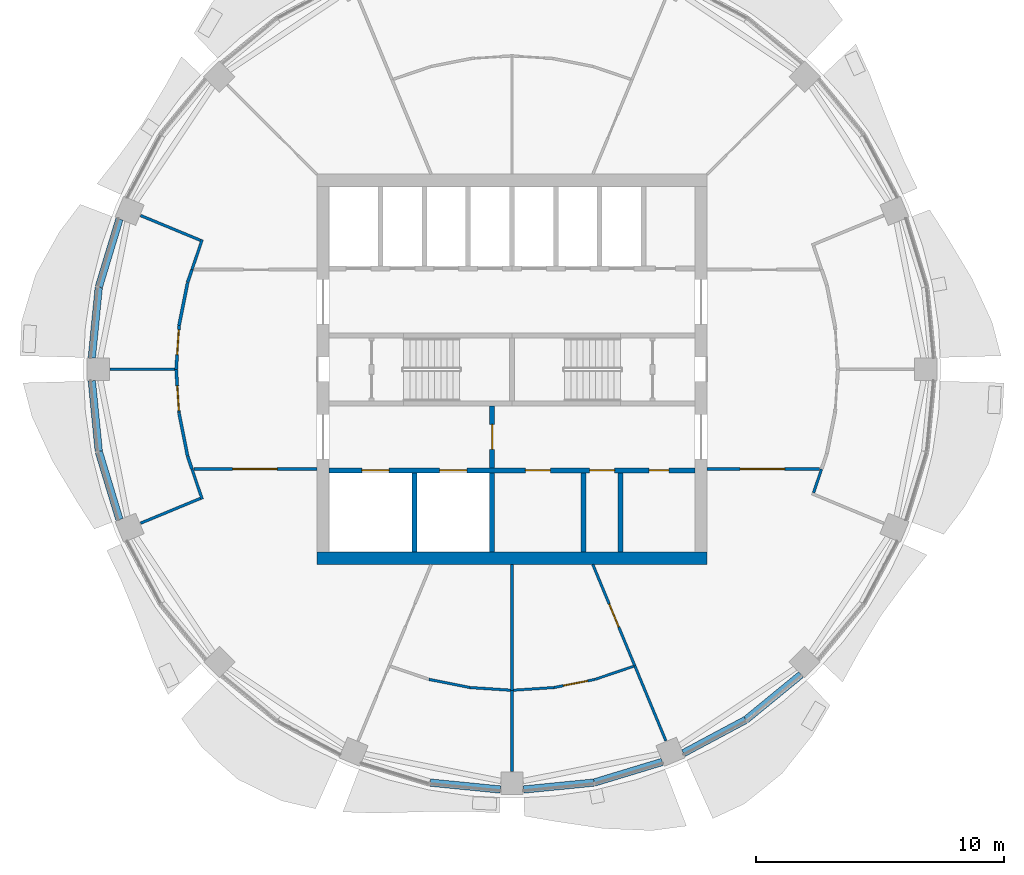
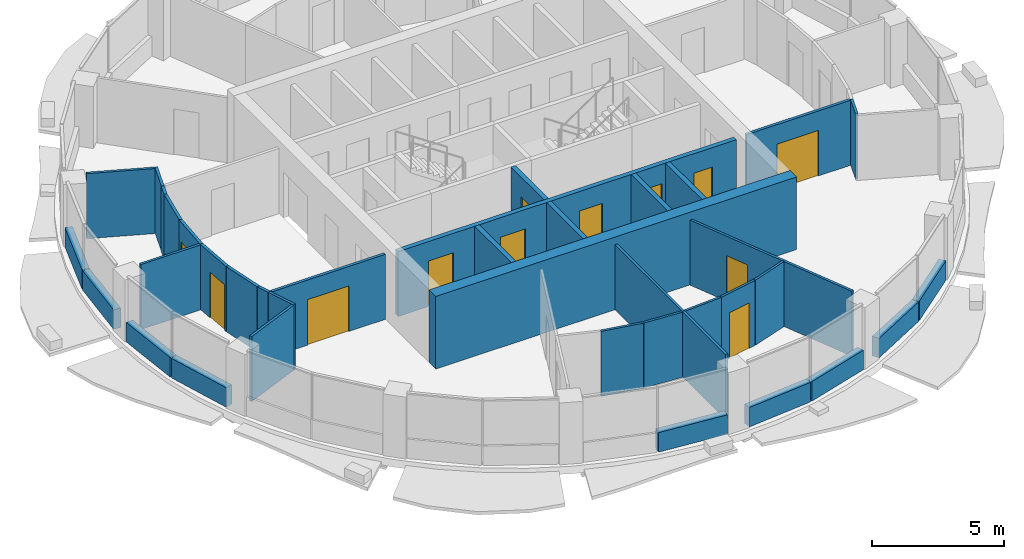
# One storey, part 8 of 15: 39 walls, 12 doors, 12 openings.
"""IFC4 building model written with IfcOpenShell, lengths in metres."""

from ifc_helpers import new_model, si_unit, direction, frame, frame_2d, origin, place, context, subcontext, project, spatial, rectangle, extrude, material, layer, layer_set, type_object, element, fill, save


model = new_model("IFC4")

# Units and contexts
model_context = context("Model", 3, precision=1e-05, world=origin(), true_north=direction((0.0, 1.0)))
body_context = subcontext(model_context, "Body", "Model", "MODEL_VIEW")
ifc_project = project(units=[si_unit("LENGTHUNIT", "METRE"), si_unit("AREAUNIT", "SQUARE_METRE"), si_unit("VOLUMEUNIT", "CUBIC_METRE"), si_unit("PLANEANGLEUNIT", "RADIAN"), si_unit("MASSUNIT", "GRAM", prefix="KILO")], contexts=[model_context])

# Site, building, storey
site_placement = place(None, origin())
site = spatial("IfcSite", under=ifc_project, at=site_placement, CompositionType="ELEMENT")
building_placement = place(site_placement, origin())
building = spatial("IfcBuilding", under=site, at=building_placement, Name="Polderwave Tower", CompositionType="ELEMENT")
storey_placement = place(building_placement, frame((0.0, 0.0, 201.050048828125)))
storey = spatial("IfcBuildingStorey", under=building, at=storey_placement, Name="L54", CompositionType="ELEMENT", Elevation=201.050048828125)

# Walls
ifc_material_1 = material(Name="Concrete C60/75", Category="concrete")
ifc_layer_1 = layer(ifc_material_1, 0.5)
ifc_layer_set_1 = layer_set([ifc_layer_1], Name="CORE WALL 500 C60/75")
wall_type_1 = type_object("IfcWallType", Name="CORE WALL 500 C60/75", PredefinedType="SHEAR", material=ifc_layer_set_1)
wall_1_placement = place(storey_placement, frame((-7.8740234375, -7.6240234375, 0.0), z_axis=(0.0, 0.0, 1.0), x_axis=(1.0, 0.0, 0.0)))
element("IfcWall", 1, at=wall_1_placement, inside=storey, type_object=wall_type_1, Name="ST-CORE-L54-S", PredefinedType="SHEAR", context=body_context, shape_type="SweptSolid", body=[
    extrude(rectangle(XDim=15.748046875, YDim=0.5, at=frame_2d((7.8740234375, 0.0))), origin(), (0.0, 0.0, 1.0), 3.349853515625),
])
ifc_material_2 = material(Name="Concrete C50/60 (board-marked)", Category="concrete")
ifc_layer_2 = layer(ifc_material_2, 0.300048828125)
ifc_layer_set_2 = layer_set([ifc_layer_2], Name="Concrete spandrel upstand C50/60")
wall_type_2 = type_object("IfcWallType", Name="Concrete spandrel upstand C50/60", PredefinedType="SOLIDWALL", material=ifc_layer_set_2)
wall_2_placement = place(storey_placement, frame((-15.84033203125, 6.0595703125, 0.0), z_axis=(0.0, 0.0, 1.0), x_axis=(-0.290432618929, -0.956895445627, 0.0)))
element("IfcWall", 2, at=wall_2_placement, inside=storey, type_object=wall_type_2, Name="Spandrel L54 8a", PredefinedType="SOLIDWALL", context=body_context, shape_type="SweptSolid", body=[
    extrude(rectangle(XDim=2.852294921875, YDim=0.300048828125, at=frame_2d((1.42626953125, 0.0))), origin(), (0.0, 0.0, 1.0), 0.89990234375),
])
for number, where, z_axis, x_axis, name in (
    (3, (-16.674560546875, 3.301025390625, 0.0), (0.0, 0.0, 1.0), (-0.098223350935, -0.995164395128, 0.0), "Spandrel L54 8b"),
    (4, (-16.95458984375, -0.4638671875, 0.0), (0.0, 0.0, 1.0), (0.098223350935, -0.995164395128, 0.0), "Spandrel L54 9a"),
):
    element("IfcWall", number, at=place(storey_placement, frame(where, z_axis=z_axis, x_axis=x_axis)), inside=storey, type_object=wall_type_2, Name=name, PredefinedType="SOLIDWALL", context=body_context, shape_type="SweptSolid", body=[
        extrude(rectangle(XDim=2.850830078125, YDim=0.300048828125, at=frame_2d((1.42529296875, 0.0))), origin(), (0.0, 0.0, 1.0), 0.89990234375),
    ])
wall_3_placement = place(storey_placement, frame((-16.668701171875, -3.330322265625, 0.0), z_axis=(0.0, 0.0, 1.0), x_axis=(0.290432618929, -0.956895445627, 0.0)))
element("IfcWall", 5, at=wall_3_placement, inside=storey, type_object=wall_type_2, Name="Spandrel L54 9b", PredefinedType="SOLIDWALL", context=body_context, shape_type="SweptSolid", body=[
    extrude(rectangle(XDim=2.852294921875, YDim=0.300048828125, at=frame_2d((1.42626953125, 0.0))), origin(), (0.0, 0.0, 1.0), 0.89990234375),
])
for number, where, z_axis, x_axis, name in (
    (6, (-3.301025390625, -16.674560546875, 0.0), (0.0, 0.0, 1.0), (0.995164395128, -0.098223350935, 0.0), "Spandrel L54 12b"),
    (7, (0.4638671875, -16.95458984375, 0.0), (0.0, 0.0, 1.0), (0.995164395128, 0.098223350935, 0.0), "Spandrel L54 13a"),
):
    element("IfcWall", number, at=place(storey_placement, frame(where, z_axis=z_axis, x_axis=x_axis)), inside=storey, type_object=wall_type_2, Name=name, PredefinedType="SOLIDWALL", context=body_context, shape_type="SweptSolid", body=[
        extrude(rectangle(XDim=2.850830078125, YDim=0.300048828125, at=frame_2d((1.42529296875, 0.0))), origin(), (0.0, 0.0, 1.0), 0.89990234375),
    ])
wall_4_placement = place(storey_placement, frame((3.330322265625, -16.668701171875, 0.0), z_axis=(0.0, 0.0, 1.0), x_axis=(0.956895445627, 0.290432618929, 0.0)))
element("IfcWall", 8, at=wall_4_placement, inside=storey, type_object=wall_type_2, Name="Spandrel L54 13b", PredefinedType="SOLIDWALL", context=body_context, shape_type="SweptSolid", body=[
    extrude(rectangle(XDim=2.852294921875, YDim=0.300048828125, at=frame_2d((1.42626953125, 0.0))), origin(), (0.0, 0.0, 1.0), 0.89990234375),
])
wall_5_placement = place(storey_placement, frame((6.917236328125, -15.48583984375, 0.0), z_axis=(0.0, 0.0, 1.0), x_axis=(0.881897285756, 0.471441594872, 0.0)))
element("IfcWall", 9, at=wall_5_placement, inside=storey, type_object=wall_type_2, Name="Spandrel L54 14a", PredefinedType="SOLIDWALL", context=body_context, shape_type="SweptSolid", body=[
    extrude(rectangle(XDim=2.850341796875, YDim=0.300048828125, at=frame_2d((1.42529296875, 0.0))), origin(), (0.0, 0.0, 1.0), 0.89990234375),
])
wall_6_placement = place(storey_placement, frame((9.45556640625, -14.12548828125, 0.0), z_axis=(0.0, 0.0, 1.0), x_axis=(0.773213238462, 0.634146109242, 0.0)))
element("IfcWall", 10, at=wall_6_placement, inside=storey, type_object=wall_type_2, Name="Spandrel L54 14b", PredefinedType="SOLIDWALL", context=body_context, shape_type="SweptSolid", body=[
    extrude(rectangle(XDim=2.852783203125, YDim=0.300048828125, at=frame_2d((1.42626953125, 0.0))), origin(), (0.0, 0.0, 1.0), 0.89990234375),
])

# Wall, opening, door
ifc_material_3 = material(Name="Gypsum board partition")
ifc_layer_3 = layer(ifc_material_3, 0.199951171875)
ifc_layer_set_3 = layer_set([ifc_layer_3], Name="Core room partition 200")
wall_type_3 = type_object("IfcWallType", Name="Core room partition 200", PredefinedType="PARTITIONING", material=ifc_layer_set_3)
wall_7_placement = place(storey_placement, frame((-0.800048828125, -3.97412109375, 0.0), z_axis=(0.0, 0.0, 1.0), x_axis=(0.0, 1.0, 0.0)))
wall_7 = element("IfcWall", 11, at=wall_7_placement, inside=storey, type_object=wall_type_3, Name="L54 fire-fighting lobby wall", PredefinedType="PARTITIONING", context=body_context, shape_type="SweptSolid", body=[
    extrude(rectangle(XDim=2.4990234375, YDim=0.199951171875, at=frame_2d((1.24951171875, 0.0))), origin(), (0.0, 0.0, 1.0), 3.0),
])
opening_1_placement = place(wall_7_placement, frame((0.74951171875, 0.0, 0.0)))
opening_1 = element("IfcOpeningElement", 12, at=opening_1_placement, cuts=wall_7, Name="Opening L54-D14", PredefinedType="OPENING", context=body_context, shape_type="SweptSolid", body=[
    extrude(rectangle(XDim=1.0, YDim=2.10009765625, at=frame_2d((0.5, 1.050048828125))), frame((0.0, 0.10986328125, 0.0), z_axis=(0.0, -1.0, 0.0), x_axis=(1.0, 0.0, 0.0)), (0.0, 0.0, 1.0), 0.219970703125),
])
ifc_material_4 = material(Name="Steel fire door", Category="steel")
door_type_1 = type_object("IfcDoorType", Name="Lobby fire door 1000", OperationType="NOTDEFINED", PredefinedType="DOOR", material=ifc_material_4)
door_1_placement = place(opening_1_placement, frame((1.0, 0.0, 0.0), z_axis=(0.0, 0.0, 1.0), x_axis=(-1.0, 0.0, 0.0)))
door_1 = element("IfcDoor", 13, at=door_1_placement, inside=storey, type_object=door_type_1, Name="Fire-fighting lobby door", OperationType="SINGLE_SWING_LEFT", OverallHeight=2.10009765625, OverallWidth=1.0, PredefinedType="DOOR", context=body_context, shape_type="SweptSolid", body=[
    extrude(rectangle(XDim=1.0, YDim=2.10009765625, at=frame_2d((0.5, 1.050048828125))), frame((0.0, 0.02490234375, 0.0), z_axis=(0.0, -1.0, 0.0), x_axis=(1.0, 0.0, 0.0)), (0.0, 0.0, 1.0), 0.050048828125),
])
fill(opening_1, door_1)

# Walls
for number, where, z_axis, x_axis, name in (
    (14, (2.88818359375, -7.3740234375, 0.0), (0.0, 0.0, 1.0), (0.0, 1.0, 0.0), "L54 room partition S1"),
    (15, (4.3837890625, -7.3740234375, 0.0), (0.0, 0.0, 1.0), (0.0, 1.0, 0.0), "L54 room partition S2"),
):
    element("IfcWall", number, at=place(storey_placement, frame(where, z_axis=z_axis, x_axis=x_axis)), inside=storey, type_object=wall_type_3, Name=name, PredefinedType="PARTITIONING", context=body_context, shape_type="SweptSolid", body=[
        extrude(rectangle(XDim=3.199951171875, YDim=0.199951171875, at=frame_2d((1.60009765625, 0.0))), origin(), (0.0, 0.0, 1.0), 3.0),
    ])

# Wall, openings, doors
ifc_material_5 = material(Name="Concrete C50/60", Category="concrete")
ifc_layer_4 = layer(ifc_material_5, 0.199951171875)
ifc_layer_set_4 = layer_set([ifc_layer_4], Name="Core web wall 200")
wall_type_4 = type_object("IfcWallType", Name="Core web wall 200", PredefinedType="SHEAR", material=ifc_layer_set_4)
wall_8_placement = place(storey_placement, frame((-7.3740234375, -4.073974609375, 0.0), z_axis=(0.0, 0.0, 1.0), x_axis=(1.0, 0.0, 0.0)))
wall_8 = element("IfcWall", 16, at=wall_8_placement, inside=storey, type_object=wall_type_4, Name="L54 south front wall", PredefinedType="SHEAR", context=body_context, shape_type="SweptSolid", body=[
    extrude(rectangle(XDim=14.748046875, YDim=0.199951171875, at=frame_2d((7.3740234375, 0.0))), origin(), (0.0, 0.0, 1.0), 3.0),
])
opening_2_placement = place(wall_8_placement, frame((1.318603515625, 0.0, 0.0)))
opening_2 = element("IfcOpeningElement", 17, at=opening_2_placement, cuts=wall_8, Name="Opening L54-D01", PredefinedType="OPENING", context=body_context, shape_type="SweptSolid", body=[
    extrude(rectangle(XDim=1.10009765625, YDim=2.10009765625, at=frame_2d((0.550048828125, 1.050048828125))), frame((0.0, 0.10986328125, 0.0), z_axis=(0.0, -1.0, 0.0), x_axis=(1.0, 0.0, 0.0)), (0.0, 0.0, 1.0), 0.219970703125),
])
opening_3_placement = place(wall_8_placement, frame((4.45556640625, 0.0, 0.0)))
opening_3 = element("IfcOpeningElement", 18, at=opening_3_placement, cuts=wall_8, Name="Opening L54-D02", PredefinedType="OPENING", context=body_context, shape_type="SweptSolid", body=[
    extrude(rectangle(XDim=1.10009765625, YDim=2.10009765625, at=frame_2d((0.550048828125, 1.050048828125))), frame((0.0, 0.10986328125, 0.0), z_axis=(0.0, -1.0, 0.0), x_axis=(1.0, 0.0, 0.0)), (0.0, 0.0, 1.0), 0.219970703125),
])
opening_4_placement = place(wall_8_placement, frame((7.918212890625, 0.0, 0.0)))
opening_4 = element("IfcOpeningElement", 19, at=opening_4_placement, cuts=wall_8, Name="Opening L54-D15", PredefinedType="OPENING", context=body_context, shape_type="SweptSolid", body=[
    extrude(rectangle(XDim=1.0, YDim=2.10009765625, at=frame_2d((0.5, 1.050048828125))), frame((0.0, 0.10986328125, 0.0), z_axis=(0.0, -1.0, 0.0), x_axis=(1.0, 0.0, 0.0)), (0.0, 0.0, 1.0), 0.219970703125),
])
opening_5_placement = place(wall_8_placement, frame((10.510009765625, 0.0, 0.0)))
opening_5 = element("IfcOpeningElement", 20, at=opening_5_placement, cuts=wall_8, Name="Opening L54-D16", PredefinedType="OPENING", context=body_context, shape_type="SweptSolid", body=[
    extrude(rectangle(XDim=1.0, YDim=2.10009765625, at=frame_2d((0.5, 1.050048828125))), frame((0.0, 0.10986328125, 0.0), z_axis=(0.0, -1.0, 0.0), x_axis=(1.0, 0.0, 0.0)), (0.0, 0.0, 1.0), 0.219970703125),
])
opening_6_placement = place(wall_8_placement, frame((12.90283203125, 0.0, 0.0)))
opening_6 = element("IfcOpeningElement", 21, at=opening_6_placement, cuts=wall_8, Name="Opening L54-D17", PredefinedType="OPENING", context=body_context, shape_type="SweptSolid", body=[
    extrude(rectangle(XDim=0.800048828125, YDim=2.10009765625, at=frame_2d((0.39990234375, 1.050048828125))), frame((0.0, 0.10986328125, 0.0), z_axis=(0.0, -1.0, 0.0), x_axis=(1.0, 0.0, 0.0)), (0.0, 0.0, 1.0), 0.219970703125),
])
ifc_material_6 = material(Name="Stainless steel", Category="steel")
door_type_2 = type_object("IfcDoorType", Name="Fire-fighting lift landing door 1100", OperationType="DOUBLE_DOOR_SLIDING", PredefinedType="DOOR", material=ifc_material_6)
door_2_placement = place(opening_2_placement, origin())
door_2 = element("IfcDoor", 22, at=door_2_placement, inside=storey, type_object=door_type_2, Name="Fire-fighting lift FF1 landing door", OperationType="DOUBLE_DOOR_SLIDING", OverallHeight=2.10009765625, OverallWidth=1.10009765625, PredefinedType="DOOR", context=body_context, shape_type="SweptSolid", body=[
    extrude(rectangle(XDim=1.10009765625, YDim=2.10009765625, at=frame_2d((0.550048828125, 1.050048828125))), frame((0.0, 0.02490234375, 0.0), z_axis=(0.0, -1.0, 0.0), x_axis=(1.0, 0.0, 0.0)), (0.0, 0.0, 1.0), 0.050048828125),
])
fill(opening_2, door_2)
door_3_placement = place(opening_3_placement, origin())
door_3 = element("IfcDoor", 23, at=door_3_placement, inside=storey, type_object=door_type_2, Name="Fire-fighting lift FF2 landing door", OperationType="DOUBLE_DOOR_SLIDING", OverallHeight=2.10009765625, OverallWidth=1.10009765625, PredefinedType="DOOR", context=body_context, shape_type="SweptSolid", body=[
    extrude(rectangle(XDim=1.10009765625, YDim=2.10009765625, at=frame_2d((0.550048828125, 1.050048828125))), frame((0.0, 0.02490234375, 0.0), z_axis=(0.0, -1.0, 0.0), x_axis=(1.0, 0.0, 0.0)), (0.0, 0.0, 1.0), 0.050048828125),
])
fill(opening_3, door_3)
door_type_3 = type_object("IfcDoorType", Name="Riser door 800", OperationType="NOTDEFINED", PredefinedType="DOOR", material=ifc_material_4)
door_4_placement = place(opening_6_placement, origin())
door_4 = element("IfcDoor", 24, at=door_4_placement, inside=storey, type_object=door_type_3, Name="Communications room door", OperationType="SINGLE_SWING_RIGHT", OverallHeight=2.10009765625, OverallWidth=0.800048828125, PredefinedType="DOOR", context=body_context, shape_type="SweptSolid", body=[
    extrude(rectangle(XDim=0.800048828125, YDim=2.10009765625, at=frame_2d((0.39990234375, 1.050048828125))), frame((0.0, 0.02490234375, 0.0), z_axis=(0.0, -1.0, 0.0), x_axis=(1.0, 0.0, 0.0)), (0.0, 0.0, 1.0), 0.050048828125),
])
fill(opening_6, door_4)
ifc_material_7 = material(Name="Timber door leaf", Category="wood")
door_type_4 = type_object("IfcDoorType", Name="Room door 1000", OperationType="NOTDEFINED", PredefinedType="DOOR", material=ifc_material_7)
door_5_placement = place(opening_4_placement, frame((1.0, 0.0, 0.0), z_axis=(0.0, 0.0, 1.0), x_axis=(-1.0, 0.0, 0.0)))
door_5 = element("IfcDoor", 25, at=door_5_placement, inside=storey, type_object=door_type_4, Name="Pantry door", OperationType="SINGLE_SWING_LEFT", OverallHeight=2.10009765625, OverallWidth=1.0, PredefinedType="DOOR", context=body_context, shape_type="SweptSolid", body=[
    extrude(rectangle(XDim=1.0, YDim=2.10009765625, at=frame_2d((0.5, 1.050048828125))), frame((0.0, 0.02490234375, 0.0), z_axis=(0.0, -1.0, 0.0), x_axis=(1.0, 0.0, 0.0)), (0.0, 0.0, 1.0), 0.050048828125),
])
fill(opening_4, door_5)
door_6_placement = place(opening_5_placement, frame((1.0, 0.0, 0.0), z_axis=(0.0, 0.0, 1.0), x_axis=(-1.0, 0.0, 0.0)))
door_6 = element("IfcDoor", 26, at=door_6_placement, inside=storey, type_object=door_type_4, Name="Cleaner's store door", OperationType="SINGLE_SWING_LEFT", OverallHeight=2.10009765625, OverallWidth=1.0, PredefinedType="DOOR", context=body_context, shape_type="SweptSolid", body=[
    extrude(rectangle(XDim=1.0, YDim=2.10009765625, at=frame_2d((0.5, 1.050048828125))), frame((0.0, 0.02490234375, 0.0), z_axis=(0.0, -1.0, 0.0), x_axis=(1.0, 0.0, 0.0)), (0.0, 0.0, 1.0), 0.050048828125),
])
fill(opening_5, door_6)

# Wall, opening, door
ifc_material_8 = material(Name="Fire-resisting board on steel studs", Category="steel")
ifc_layer_5 = layer(ifc_material_8, 0.125)
ifc_layer_set_5 = layer_set([ifc_layer_5], Name="Corridor wall 125 mm EI 60")
wall_type_5 = type_object("IfcWallType", Name="Corridor wall 125 mm EI 60", PredefinedType="PARTITIONING", material=ifc_layer_set_5)
wall_9_placement = place(storey_placement, frame((12.40380859375, -4.0244140625, 0.0), z_axis=(0.0, 0.0, 1.0), x_axis=(-1.0, 0.0, 0.0)))
wall_9 = element("IfcWall", 27, at=wall_9_placement, inside=storey, type_object=wall_type_5, Name="IN-L54-W005", PredefinedType="PARTITIONING", context=body_context, shape_type="SweptSolid", body=[
    extrude(rectangle(XDim=4.52978515625, YDim=0.125, at=frame_2d((2.264892578125, 0.0))), origin(), (0.0, 0.0, 1.0), 3.0),
])
opening_7_placement = place(wall_9_placement, frame((1.39990234375, 0.0, 0.0)))
opening_7 = element("IfcOpeningElement", 28, at=opening_7_placement, cuts=wall_9, Name="Opening L54-D52", PredefinedType="OPENING", context=body_context, shape_type="SweptSolid", body=[
    extrude(rectangle(XDim=1.800048828125, YDim=2.10009765625, at=frame_2d((0.89990234375, 1.050048828125))), frame((0.0, 0.072509765625, 0.0), z_axis=(0.0, -1.0, 0.0), x_axis=(1.0, 0.0, 0.0)), (0.0, 0.0, 1.0), 0.14501953125),
])
ifc_material_9 = material(Name="Timber fire door leaves", Category="wood")
door_type_5 = type_object("IfcDoorType", Name="Double fire door FD30S 1800 x 2100", OperationType="NOTDEFINED", PredefinedType="DOOR", material=ifc_material_9)
door_7_placement = place(opening_7_placement, origin())
door_7 = element("IfcDoor", 29, at=door_7_placement, inside=storey, type_object=door_type_5, Name="Door L54-D52", OperationType="DOUBLE_DOOR_SINGLE_SWING", OverallHeight=2.10009765625, OverallWidth=1.800048828125, PredefinedType="DOOR", context=body_context, shape_type="SweptSolid", body=[
    extrude(rectangle(XDim=1.800048828125, YDim=2.10009765625, at=frame_2d((0.89990234375, 1.050048828125))), frame((0.0, 0.02490234375, 0.0), z_axis=(0.0, -1.0, 0.0), x_axis=(1.0, 0.0, 0.0)), (0.0, 0.0, 1.0), 0.050048828125),
])
fill(opening_7, door_7)

wall_10_placement = place(storey_placement, frame((-13.550048828125, 0.0, 0.0), z_axis=(0.0, 0.0, 1.0), x_axis=(0.065446765392, 0.997856062215, 0.0)))
wall_10 = element("IfcWall", 30, at=wall_10_placement, inside=storey, type_object=wall_type_5, Name="IN-L54-W010", PredefinedType="PARTITIONING", context=body_context, shape_type="SweptSolid", body=[
    extrude(rectangle(XDim=1.768310546875, YDim=0.125, at=frame_2d((0.88427734375, 0.0))), origin(), (0.0, 0.0, 1.0), 3.0),
])
opening_8_placement = place(wall_10_placement, frame((0.60009765625, 0.0, 0.0)))
opening_8 = element("IfcOpeningElement", 31, at=opening_8_placement, cuts=wall_10, Name="Opening L54-D55", PredefinedType="OPENING", context=body_context, shape_type="SweptSolid", body=[
    extrude(rectangle(XDim=1.0, YDim=2.10009765625, at=frame_2d((0.5, 1.050048828125))), frame((0.0, 0.072509765625, 0.0), z_axis=(0.0, -1.0, 0.0), x_axis=(1.0, 0.0, 0.0)), (0.0, 0.0, 1.0), 0.14501953125),
])
ifc_material_10 = material(Name="Timber fire door leaf", Category="wood")
door_type_6 = type_object("IfcDoorType", Name="Fire door FD30S 1000 x 2100", OperationType="NOTDEFINED", PredefinedType="DOOR", material=ifc_material_10)
door_8_placement = place(opening_8_placement, origin())
door_8 = element("IfcDoor", 32, at=door_8_placement, inside=storey, type_object=door_type_6, Name="Door L54-D55", OperationType="SINGLE_SWING_RIGHT", OverallHeight=2.10009765625, OverallWidth=1.0, PredefinedType="DOOR", context=body_context, shape_type="SweptSolid", body=[
    extrude(rectangle(XDim=1.0, YDim=2.10009765625, at=frame_2d((0.5, 1.050048828125))), frame((0.0, 0.02490234375, 0.0), z_axis=(0.0, -1.0, 0.0), x_axis=(1.0, 0.0, 0.0)), (0.0, 0.0, 1.0), 0.050048828125),
])
fill(opening_8, door_8)

# Walls
wall_11_placement = place(storey_placement, frame((-13.433349609375, 1.772705078125, 0.0), z_axis=(0.0, 0.0, 1.0), x_axis=(0.195131330955, 0.980777122327, 0.0)))
element("IfcWall", 33, at=wall_11_placement, inside=storey, type_object=wall_type_5, Name="IN-L54-W011", PredefinedType="PARTITIONING", context=body_context, shape_type="SweptSolid", body=[
    extrude(rectangle(XDim=1.76416015625, YDim=0.125, at=frame_2d((0.882080078125, 0.0))), origin(), (0.0, 0.0, 1.0), 3.0),
])
wall_12_placement = place(storey_placement, frame((-13.0869140625, 3.510986328125, 0.0), z_axis=(0.0, 0.0, 1.0), x_axis=(0.321491020406, 0.946912627331, 0.0)))
element("IfcWall", 34, at=wall_12_placement, inside=storey, type_object=wall_type_5, Name="IN-L54-W012", PredefinedType="PARTITIONING", context=body_context, shape_type="SweptSolid", body=[
    extrude(rectangle(XDim=0.542236328125, YDim=0.125, at=frame_2d((0.27099609375, 0.0))), origin(), (0.0, 0.0, 1.0), 3.0),
])

# Wall, opening, door
wall_13_placement = place(storey_placement, frame((-13.434326171875, -1.764404296875, 0.0), z_axis=(0.0, 0.0, 1.0), x_axis=(-0.065446765392, 0.997856062215, 0.0)))
wall_13 = element("IfcWall", 35, at=wall_13_placement, inside=storey, type_object=wall_type_5, Name="IN-L54-W013", PredefinedType="PARTITIONING", context=body_context, shape_type="SweptSolid", body=[
    extrude(rectangle(XDim=1.768310546875, YDim=0.125, at=frame_2d((0.88427734375, 0.0))), origin(), (0.0, 0.0, 1.0), 3.0),
])
opening_9_placement = place(wall_13_placement, frame((0.10009765625, 0.0, 0.0)))
opening_9 = element("IfcOpeningElement", 36, at=opening_9_placement, cuts=wall_13, Name="Opening L54-D56", PredefinedType="OPENING", context=body_context, shape_type="SweptSolid", body=[
    extrude(rectangle(XDim=1.0, YDim=2.10009765625, at=frame_2d((0.5, 1.050048828125))), frame((0.0, 0.072509765625, 0.0), z_axis=(0.0, -1.0, 0.0), x_axis=(1.0, 0.0, 0.0)), (0.0, 0.0, 1.0), 0.14501953125),
])
door_9_placement = place(opening_9_placement, origin())
door_9 = element("IfcDoor", 37, at=door_9_placement, inside=storey, type_object=door_type_6, Name="Door L54-D56", OperationType="SINGLE_SWING_LEFT", OverallHeight=2.10009765625, OverallWidth=1.0, PredefinedType="DOOR", context=body_context, shape_type="SweptSolid", body=[
    extrude(rectangle(XDim=1.0, YDim=2.10009765625, at=frame_2d((0.5, 1.050048828125))), frame((0.0, 0.02490234375, 0.0), z_axis=(0.0, -1.0, 0.0), x_axis=(1.0, 0.0, 0.0)), (0.0, 0.0, 1.0), 0.050048828125),
])
fill(opening_9, door_9)

# Walls
wall_14_placement = place(storey_placement, frame((-13.089111328125, -3.5029296875, 0.0), z_axis=(0.0, 0.0, 1.0), x_axis=(-0.195131330955, 0.980777122327, 0.0)))
element("IfcWall", 38, at=wall_14_placement, inside=storey, type_object=wall_type_5, Name="IN-L54-W014", PredefinedType="PARTITIONING", context=body_context, shape_type="SweptSolid", body=[
    extrude(rectangle(XDim=1.76416015625, YDim=0.125, at=frame_2d((0.882080078125, 0.0))), origin(), (0.0, 0.0, 1.0), 3.0),
])
wall_15_placement = place(storey_placement, frame((-12.91259765625, -4.0244140625, 0.0), z_axis=(0.0, 0.0, 1.0), x_axis=(-0.321491020406, 0.946912627331, 0.0)))
element("IfcWall", 39, at=wall_15_placement, inside=storey, type_object=wall_type_5, Name="IN-L54-W015", PredefinedType="PARTITIONING", context=body_context, shape_type="SweptSolid", body=[
    extrude(rectangle(XDim=0.542236328125, YDim=0.125, at=frame_2d((0.27099609375, 0.0))), origin(), (0.0, 0.0, 1.0), 3.0),
])

# Wall, opening, door
wall_16_placement = place(storey_placement, frame((-7.8740234375, -4.0244140625, 0.0), z_axis=(0.0, 0.0, 1.0), x_axis=(-1.0, 0.0, 0.0)))
wall_16 = element("IfcWall", 40, at=wall_16_placement, inside=storey, type_object=wall_type_5, Name="IN-L54-W016", PredefinedType="PARTITIONING", context=body_context, shape_type="SweptSolid", body=[
    extrude(rectangle(XDim=4.951416015625, YDim=0.125, at=frame_2d((2.4755859375, 0.0))), origin(), (0.0, 0.0, 1.0), 3.0),
])
opening_10_placement = place(wall_16_placement, frame((1.60009765625, 0.0, 0.0)))
opening_10 = element("IfcOpeningElement", 41, at=opening_10_placement, cuts=wall_16, Name="Opening L54-D57", PredefinedType="OPENING", context=body_context, shape_type="SweptSolid", body=[
    extrude(rectangle(XDim=1.800048828125, YDim=2.10009765625, at=frame_2d((0.89990234375, 1.050048828125))), frame((0.0, 0.072509765625, 0.0), z_axis=(0.0, -1.0, 0.0), x_axis=(1.0, 0.0, 0.0)), (0.0, 0.0, 1.0), 0.14501953125),
])
door_10_placement = place(opening_10_placement, origin())
door_10 = element("IfcDoor", 42, at=door_10_placement, inside=storey, type_object=door_type_5, Name="Door L54-D57", OperationType="DOUBLE_DOOR_SINGLE_SWING", OverallHeight=2.10009765625, OverallWidth=1.800048828125, PredefinedType="DOOR", context=body_context, shape_type="SweptSolid", body=[
    extrude(rectangle(XDim=1.800048828125, YDim=2.10009765625, at=frame_2d((0.89990234375, 1.050048828125))), frame((0.0, 0.02490234375, 0.0), z_axis=(0.0, -1.0, 0.0), x_axis=(1.0, 0.0, 0.0)), (0.0, 0.0, 1.0), 0.050048828125),
])
fill(opening_10, door_10)

# Wall
ifc_material_11 = material(Name="Plasterboard on steel studs", Category="steel")
ifc_layer_6 = layer(ifc_material_11, 0.10009765625)
ifc_layer_set_6 = layer_set([ifc_layer_6], Name="Partition 100 mm plasterboard on steel studs")
wall_type_6 = type_object("IfcWallType", Name="Partition 100 mm plasterboard on steel studs", PredefinedType="PARTITIONING", material=ifc_layer_set_6)
wall_17_placement = place(storey_placement, frame((1.68701171875, -12.83935546875, 0.0), z_axis=(0.0, 0.0, 1.0), x_axis=(-0.99785150194, -0.06551625811, 0.0)))
element("IfcWall", 43, at=wall_17_placement, inside=storey, type_object=wall_type_6, Name="IN-L54-W045", PredefinedType="PARTITIONING", context=body_context, shape_type="SweptSolid", body=[
    extrude(rectangle(XDim=1.632080078125, YDim=0.10009765625, at=frame_2d((0.81591796875, 0.0))), origin(), (0.0, 0.0, 1.0), 3.0),
])

# Wall, opening, door
wall_18_placement = place(storey_placement, frame((3.348388671875, -12.50927734375, 0.0), z_axis=(0.0, 0.0, 1.0), x_axis=(-0.98076390104, -0.195197772573, 0.0)))
wall_18 = element("IfcWall", 44, at=wall_18_placement, inside=storey, type_object=wall_type_6, Name="IN-L54-W046", PredefinedType="PARTITIONING", context=body_context, shape_type="SweptSolid", body=[
    extrude(rectangle(XDim=1.687255859375, YDim=0.10009765625, at=frame_2d((0.84375, 0.0))), origin(), (0.0, 0.0, 1.0), 3.0),
])
opening_11_placement = place(wall_18_placement, frame((0.300048828125, 0.0, 0.0)))
opening_11 = element("IfcOpeningElement", 45, at=opening_11_placement, cuts=wall_18, Name="Opening L54-D65", PredefinedType="OPENING", context=body_context, shape_type="SweptSolid", body=[
    extrude(rectangle(XDim=1.0, YDim=2.10009765625, at=frame_2d((0.5, 1.050048828125))), frame((0.0, 0.06005859375, 0.0), z_axis=(0.0, -1.0, 0.0), x_axis=(1.0, 0.0, 0.0)), (0.0, 0.0, 1.0), 0.1201171875),
])
ifc_material_12 = material(Name="Timber veneer door leaf", Category="wood")
door_type_7 = type_object("IfcDoorType", Name="Single door 1000 x 2100", OperationType="NOTDEFINED", PredefinedType="DOOR", material=ifc_material_12)
door_11_placement = place(opening_11_placement, origin())
door_11 = element("IfcDoor", 46, at=door_11_placement, inside=storey, type_object=door_type_7, Name="Door L54-D65", OperationType="SINGLE_SWING_LEFT", OverallHeight=2.10009765625, OverallWidth=1.0, PredefinedType="DOOR", context=body_context, shape_type="SweptSolid", body=[
    extrude(rectangle(XDim=1.0, YDim=2.10009765625, at=frame_2d((0.5, 1.050048828125))), frame((0.0, 0.02490234375, 0.0), z_axis=(0.0, -1.0, 0.0), x_axis=(1.0, 0.0, 0.0)), (0.0, 0.0, 1.0), 0.050048828125),
])
fill(opening_11, door_11)

# Walls
wall_19_placement = place(storey_placement, frame((4.90283203125, -11.982177734375, 0.0), z_axis=(0.0, 0.0, 1.0), x_axis=(-0.94695192125, -0.321375261714, 0.0)))
element("IfcWall", 47, at=wall_19_placement, inside=storey, type_object=wall_type_6, Name="IN-L54-W047", PredefinedType="PARTITIONING", context=body_context, shape_type="SweptSolid", body=[
    extrude(rectangle(XDim=1.634765625, YDim=0.10009765625, at=frame_2d((0.8173828125, 0.0))), origin(), (0.0, 0.0, 1.0), 3.0),
])
ifc_material_13 = material(Name="Moisture-resistant board on steel studs, tiled", Category="steel")
ifc_layer_7 = layer(ifc_material_13, 0.10498046875)
ifc_layer_set_7 = layer_set([ifc_layer_7], Name="Partition 105 mm wet room board and tile")
wall_type_7 = type_object("IfcWallType", Name="Partition 105 mm wet room board and tile", PredefinedType="PARTITIONING", material=ifc_layer_set_7)
wall_20_placement = place(storey_placement, frame((-1.693603515625, -12.83837890625, 0.0), z_axis=(0.0, 0.0, 1.0), x_axis=(-0.980819267524, 0.194919379368, 0.0)))
element("IfcWall", 48, at=wall_20_placement, inside=storey, type_object=wall_type_7, Name="IN-L54-W041", PredefinedType="PARTITIONING", context=body_context, shape_type="SweptSolid", body=[
    extrude(rectangle(XDim=1.687255859375, YDim=0.10498046875, at=frame_2d((0.84375, 0.0))), origin(), (0.0, 0.0, 1.0), 3.0),
])
wall_21_placement = place(storey_placement, frame((-0.058349609375, -12.9462890625, 0.0), z_axis=(0.0, 0.0, 1.0), x_axis=(-0.99785150194, 0.06551625811, 0.0)))
element("IfcWall", 49, at=wall_21_placement, inside=storey, type_object=wall_type_7, Name="IN-L54-W042", PredefinedType="PARTITIONING", context=body_context, shape_type="SweptSolid", body=[
    extrude(rectangle(XDim=1.632080078125, YDim=0.10498046875, at=frame_2d((0.81591796875, 0.0))), origin(), (0.0, 0.0, 1.0), 3.0),
])
wall_22_placement = place(storey_placement, frame((0.0, -7.8740234375, 0.0), z_axis=(0.0, 0.0, 1.0), x_axis=(0.0, -1.0, 0.0)))
element("IfcWall", 50, at=wall_22_placement, inside=storey, type_object=wall_type_7, Name="IN-L54-W043", PredefinedType="PARTITIONING", context=body_context, shape_type="SweptSolid", body=[
    extrude(rectangle(XDim=5.075927734375, YDim=0.10498046875, at=frame_2d((2.5380859375, 0.0))), origin(), (0.0, 0.0, 1.0), 3.0),
])

# Wall, opening, door
wall_23_placement = place(storey_placement, frame((4.955810546875, -11.964111328125, 0.0), z_axis=(0.0, 0.0, 1.0), x_axis=(-0.38271544888, 0.923866270186, 0.0)))
wall_23 = element("IfcWall", 51, at=wall_23_placement, inside=storey, type_object=wall_type_7, Name="IN-L54-W048", PredefinedType="PARTITIONING", context=body_context, shape_type="SweptSolid", body=[
    extrude(rectangle(XDim=4.42724609375, YDim=0.10498046875, at=frame_2d((2.213623046875, 0.0))), origin(), (0.0, 0.0, 1.0), 3.0),
])
opening_12_placement = place(wall_23_placement, frame((1.699951171875, 0.0, 0.0)))
opening_12 = element("IfcOpeningElement", 52, at=opening_12_placement, cuts=wall_23, Name="Opening L54-D66", PredefinedType="OPENING", context=body_context, shape_type="SweptSolid", body=[
    extrude(rectangle(XDim=1.0, YDim=2.10009765625, at=frame_2d((0.5, 1.050048828125))), frame((0.0, 0.0625, 0.0), z_axis=(0.0, -1.0, 0.0), x_axis=(1.0, 0.0, 0.0)), (0.0, 0.0, 1.0), 0.125),
])
door_12_placement = place(opening_12_placement, origin())
door_12 = element("IfcDoor", 53, at=door_12_placement, inside=storey, type_object=door_type_7, Name="Door L54-D66", OperationType="SINGLE_SWING_LEFT", OverallHeight=2.10009765625, OverallWidth=1.0, PredefinedType="DOOR", context=body_context, shape_type="SweptSolid", body=[
    extrude(rectangle(XDim=1.0, YDim=2.10009765625, at=frame_2d((0.5, 1.050048828125))), frame((0.0, 0.02490234375, 0.0), z_axis=(0.0, -1.0, 0.0), x_axis=(1.0, 0.0, 0.0)), (0.0, 0.0, 1.0), 0.050048828125),
])
fill(opening_12, door_12)

# Walls
wall_24_placement = place(storey_placement, frame((4.955810546875, -11.964111328125, 0.0), z_axis=(0.0, 0.0, 1.0), x_axis=(0.382626535499, -0.923903097912, 0.0)))
element("IfcWall", 54, at=wall_24_placement, inside=storey, type_object=wall_type_7, Name="IN-L54-W049", PredefinedType="PARTITIONING", context=body_context, shape_type="SweptSolid", body=[
    extrude(rectangle(XDim=3.27001953125, YDim=0.10498046875, at=frame_2d((1.635009765625, 0.0))), origin(), (0.0, 0.0, 1.0), 3.0),
])
wall_25_placement = place(storey_placement, frame((12.4912109375, -4.0244140625, 0.0), z_axis=(0.0, 0.0, 1.0), x_axis=(-0.321525085424, -0.946901061064, 0.0)))
element("IfcWall", 55, at=wall_25_placement, inside=storey, type_object=wall_type_7, Name="IN-L54-W051", PredefinedType="PARTITIONING", context=body_context, shape_type="SweptSolid", body=[
    extrude(rectangle(XDim=1.00830078125, YDim=0.10498046875, at=frame_2d((0.504150390625, 0.0))), origin(), (0.0, 0.0, 1.0), 3.0),
])
ifc_material_14 = material(Name="Acoustic double plasterboard on steel studs", Category="steel")
ifc_layer_8 = layer(ifc_material_14, 0.110107421875)
ifc_layer_set_8 = layer_set([ifc_layer_8], Name="Partition 110 mm acoustic double board")
wall_type_8 = type_object("IfcWallType", Name="Partition 110 mm acoustic double board", PredefinedType="PARTITIONING", material=ifc_layer_set_8)
wall_26_placement = place(storey_placement, frame((-12.91259765625, 4.0244140625, 0.0), z_axis=(0.0, 0.0, 1.0), x_axis=(0.32136960108, 0.946953842329, 0.0)))
element("IfcWall", 56, at=wall_26_placement, inside=storey, type_object=wall_type_8, Name="IN-L54-W033", PredefinedType="PARTITIONING", context=body_context, shape_type="SweptSolid", body=[
    extrude(rectangle(XDim=1.28076171875, YDim=0.110107421875, at=frame_2d((0.640380859375, 0.0))), origin(), (0.0, 0.0, 1.0), 3.0),
])
wall_27_placement = place(storey_placement, frame((-12.572998046875, 5.207763671875, 0.0), z_axis=(0.0, 0.0, 1.0), x_axis=(-0.923874382429, 0.382695865528, 0.0)))
element("IfcWall", 57, at=wall_27_placement, inside=storey, type_object=wall_type_8, Name="IN-L54-W034", PredefinedType="PARTITIONING", context=body_context, shape_type="SweptSolid", body=[
    extrude(rectangle(XDim=2.611083984375, YDim=0.110107421875, at=frame_2d((1.3056640625, 0.0))), origin(), (0.0, 0.0, 1.0), 3.0),
])
wall_28_placement = place(storey_placement, frame((-13.6162109375, 0.0, 0.0), z_axis=(0.0, 0.0, 1.0), x_axis=(-1.0, 0.0, 0.0)))
element("IfcWall", 58, at=wall_28_placement, inside=storey, type_object=wall_type_8, Name="IN-L54-W035", PredefinedType="PARTITIONING", context=body_context, shape_type="SweptSolid", body=[
    extrude(rectangle(XDim=2.603759765625, YDim=0.110107421875, at=frame_2d((1.3017578125, 0.0))), origin(), (0.0, 0.0, 1.0), 3.0),
])
wall_29_placement = place(storey_placement, frame((-12.91259765625, -4.0244140625, 0.0), z_axis=(0.0, 0.0, 1.0), x_axis=(0.32136960108, -0.946953842329, 0.0)))
element("IfcWall", 59, at=wall_29_placement, inside=storey, type_object=wall_type_8, Name="IN-L54-W036", PredefinedType="PARTITIONING", context=body_context, shape_type="SweptSolid", body=[
    extrude(rectangle(XDim=1.28076171875, YDim=0.110107421875, at=frame_2d((0.640380859375, 0.0))), origin(), (0.0, 0.0, 1.0), 3.0),
])
wall_30_placement = place(storey_placement, frame((-12.572998046875, -5.2080078125, 0.0), z_axis=(0.0, 0.0, 1.0), x_axis=(-0.923907438328, -0.382616054816, 0.0)))
element("IfcWall", 60, at=wall_30_placement, inside=storey, type_object=wall_type_8, Name="IN-L54-W037", PredefinedType="PARTITIONING", context=body_context, shape_type="SweptSolid", body=[
    extrude(rectangle(XDim=2.611083984375, YDim=0.110107421875, at=frame_2d((1.3056640625, 0.0))), origin(), (0.0, 0.0, 1.0), 3.0),
])
wall_31_placement = place(storey_placement, frame((0.0, -12.949951171875, 0.0), z_axis=(0.0, 0.0, 1.0), x_axis=(0.0, -1.0, 0.0)))
element("IfcWall", 61, at=wall_31_placement, inside=storey, type_object=wall_type_8, Name="IN-L54-W044", PredefinedType="PARTITIONING", context=body_context, shape_type="SweptSolid", body=[
    extrude(rectangle(XDim=3.27001953125, YDim=0.110107421875, at=frame_2d((1.635009765625, 0.0))), origin(), (0.0, 0.0, 1.0), 3.0),
])
ifc_material_15 = material(Name="Gypsum shaft wall system")
ifc_layer_9 = layer(ifc_material_15, 0.199951171875)
ifc_layer_set_9 = layer_set([ifc_layer_9], Name="Shaft wall 200")
wall_type_9 = type_object("IfcWallType", Name="Shaft wall 200", PredefinedType="PARTITIONING", material=ifc_layer_set_9)
for number, where, z_axis, x_axis, name in (
    (62, (-3.93701171875, -7.3740234375, 0.0), (0.0, 0.0, 1.0), (0.0, 1.0, 0.0), "L54 fire-fighting shaft wall 1"),
    (63, (-0.800048828125, -7.3740234375, 0.0), (0.0, 0.0, 1.0), (0.0, 1.0, 0.0), "L54 fire-fighting shaft wall 2"),
):
    element("IfcWall", number, at=place(storey_placement, frame(where, z_axis=z_axis, x_axis=x_axis)), inside=storey, type_object=wall_type_9, Name=name, PredefinedType="PARTITIONING", context=body_context, shape_type="SweptSolid", body=[
        extrude(rectangle(XDim=3.199951171875, YDim=0.199951171875, at=frame_2d((1.60009765625, 0.0))), origin(), (0.0, 0.0, 1.0), 3.0),
    ])

save(model, "model.ifc")
